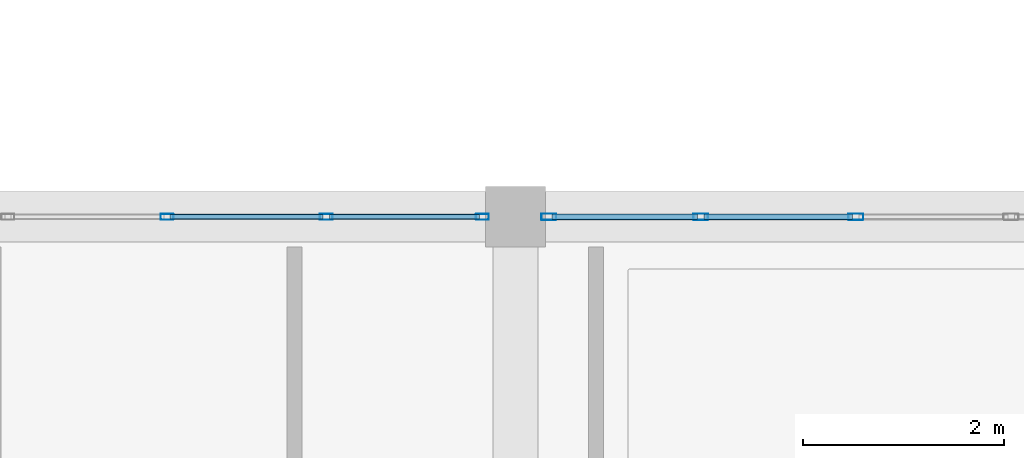
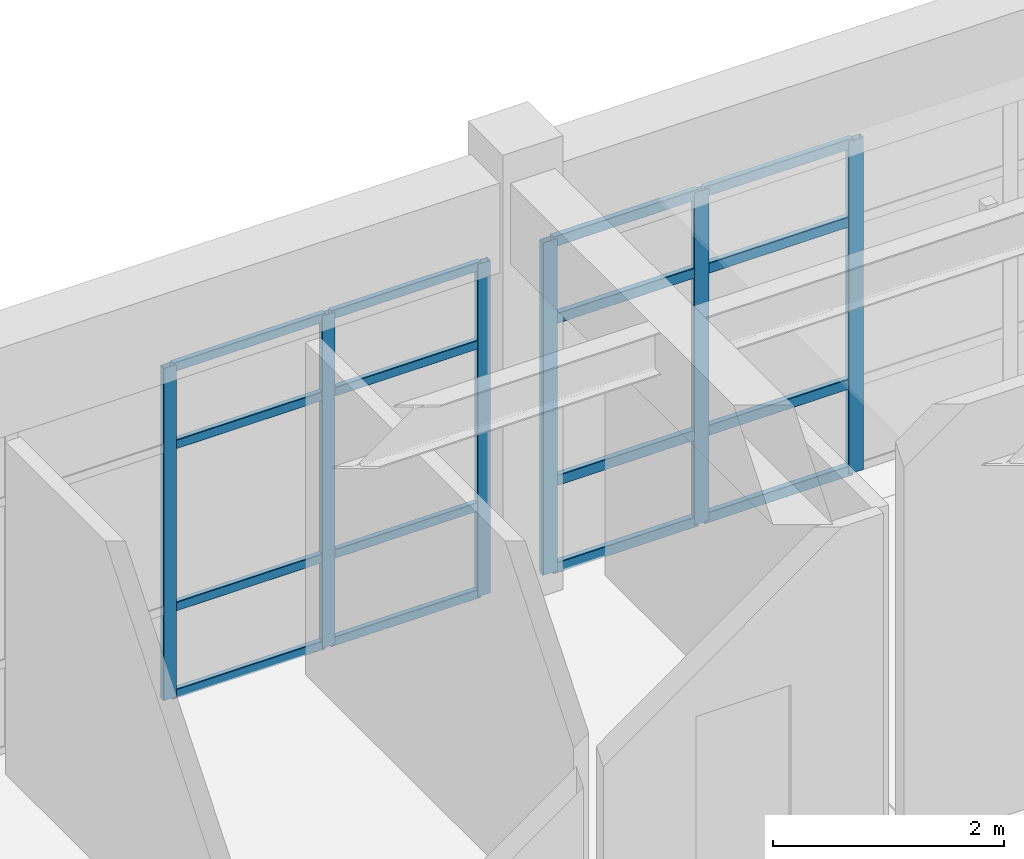
# One storey, part 24 of 139: 22 members, 2 elements without a shape of their own.
"""IFC4 building model written with IfcOpenShell, lengths in metres."""

from ifc_helpers import new_model, si_unit, direction, frame, origin, origin_2d, place, context, subcontext, project, spatial, hollow_rectangle, extrude, material, material_profile, profile_set, type_object, element, aggregate, save


model = new_model("IFC4")

# Units and contexts
model_context = context("Model", 3, precision=1e-05, world=origin(), true_north=direction((0.0, 1.0)))
body_context = subcontext(model_context, "Body", "Model", "MODEL_VIEW")
ifc_project = project(units=[si_unit("LENGTHUNIT", "METRE"), si_unit("AREAUNIT", "SQUARE_METRE"), si_unit("VOLUMEUNIT", "CUBIC_METRE"), si_unit("PLANEANGLEUNIT", "RADIAN"), si_unit("MASSUNIT", "GRAM", prefix="KILO")], contexts=[model_context])

# Site, building, storey
site_placement = place(None, origin())
site = spatial("IfcSite", under=ifc_project, at=site_placement, CompositionType="ELEMENT")
building_placement = place(site_placement, origin())
building = spatial("IfcBuilding", under=site, at=building_placement, Name="Canglan Escarpment Cableway Terminal", CompositionType="ELEMENT")
storey_placement = place(building_placement, frame((0.0, 0.0, 14.39990234375)))
storey = spatial("IfcBuildingStorey", under=building, at=storey_placement, Name="L03", CompositionType="ELEMENT", Elevation=14.39990234375)

# Curtain wall, members
ifc_material_1 = material(Name="Anodized bronze aluminium and Low-E double glazing", Category="aluminium")
curtain_wall_type_1 = type_object("IfcCurtainWallType", Name="CW-BAY-7925x3525", PredefinedType="NOTDEFINED", material=ifc_material_1)
curtain_wall_1_placement = place(storey_placement, origin())
curtain_wall_1 = element("IfcCurtainWall", 1, at=curtain_wall_1_placement, inside=storey, type_object=curtain_wall_type_1, Name="Classical bay-between-piers glazed curtain wall CW-17", PredefinedType="NOTDEFINED")
ifc_material_2 = material(Name="Thermally broken anodized aluminium 6063-T6", Category="aluminium")
ifc_material_profile_1 = material_profile(ifc_material_2, hollow_rectangle(XDim=0.06005859375, YDim=0.1298828125, WallThickness=0.0029296875, InnerFilletRadius=0.0029296875, OuterFilletRadius=0.006103515625, at=origin_2d()), Name="ALU-MULL 60x130x3")
ifc_profile_set_1 = profile_set([ifc_material_profile_1], Name="Thermally broken anodized aluminium 6063-T6")
member_type_1 = type_object("IfcMemberType", Name="CWM-01", PredefinedType="MULLION", material=ifc_profile_set_1)
member_1_placement = place(storey_placement, frame((119.570068359375, 24.800048828125, 0.0), z_axis=(0.0, 0.0, 1.0), x_axis=(0.0, -1.0, 0.0)))
member_1 = element("IfcMember", 2, at=member_1_placement, type_object=member_type_1, Name="CW-17 mullion 1", PredefinedType="MULLION", context=body_context, shape_type="SweptSolid", body=[
    extrude(hollow_rectangle(XDim=0.06005859375, YDim=0.1298828125, WallThickness=0.0029296875, InnerFilletRadius=0.0029296875, OuterFilletRadius=0.006103515625, at=origin_2d()), origin(), (0.0, 0.0, 1.0), 3.51513671875),
])
member_2_placement = place(storey_placement, frame((118.014892578125, 24.800048828125, 0.0), z_axis=(0.0, 0.0, 1.0), x_axis=(0.0, -1.0, 0.0)))
member_2 = element("IfcMember", 3, at=member_2_placement, type_object=member_type_1, Name="CW-17 mullion 2", PredefinedType="MULLION", context=body_context, shape_type="SweptSolid", body=[
    extrude(hollow_rectangle(XDim=0.06005859375, YDim=0.1298828125, WallThickness=0.0029296875, InnerFilletRadius=0.0029296875, OuterFilletRadius=0.006103515625, at=origin_2d()), origin(), (0.0, 0.0, 1.0), 3.51513671875),
])
member_3_placement = place(storey_placement, frame((116.429931640625, 24.800048828125, 0.0), z_axis=(0.0, 0.0, 1.0), x_axis=(0.0, -1.0, 0.0)))
member_3 = element("IfcMember", 4, at=member_3_placement, type_object=member_type_1, Name="CW-17 mullion 3", PredefinedType="MULLION", context=body_context, shape_type="SweptSolid", body=[
    extrude(hollow_rectangle(XDim=0.06005859375, YDim=0.1298828125, WallThickness=0.0029296875, InnerFilletRadius=0.0029296875, OuterFilletRadius=0.006103515625, at=origin_2d()), origin(), (0.0, 0.0, 1.0), 3.51513671875),
])

curtain_wall_type_2 = type_object("IfcCurtainWallType", Name="CW-BAY-7725x3525", PredefinedType="NOTDEFINED", material=ifc_material_1)
curtain_wall_2_placement = place(storey_placement, origin())
curtain_wall_2 = element("IfcCurtainWall", 5, at=curtain_wall_2_placement, inside=storey, type_object=curtain_wall_type_2, Name="Classical bay-between-piers glazed curtain wall CW-18", PredefinedType="NOTDEFINED")
ifc_material_profile_2 = material_profile(ifc_material_2, hollow_rectangle(XDim=0.06494140625, YDim=0.14990234375, WallThickness=0.00341796875, InnerFilletRadius=0.00341796875, OuterFilletRadius=0.007080078125, at=origin_2d()), Name="ALU-MULL 65x150x3.5")
ifc_profile_set_2 = profile_set([ifc_material_profile_2], Name="Thermally broken anodized aluminium 6063-T6")
member_type_2 = type_object("IfcMemberType", Name="CWM-02", PredefinedType="MULLION", material=ifc_profile_set_2)
member_4_placement = place(storey_placement, frame((123.2900390625, 24.800048828125, 0.0), z_axis=(0.0, 0.0, 1.0), x_axis=(0.0, -1.0, 0.0)))
member_4 = element("IfcMember", 6, at=member_4_placement, type_object=member_type_2, Name="CW-18 mullion 4", PredefinedType="MULLION", context=body_context, shape_type="SweptSolid", body=[
    extrude(hollow_rectangle(XDim=0.06494140625, YDim=0.14990234375, WallThickness=0.00341796875, InnerFilletRadius=0.00341796875, OuterFilletRadius=0.007080078125, at=origin_2d()), origin(), (0.0, 0.0, 1.0), 3.51513671875),
])
member_5_placement = place(storey_placement, frame((121.7451171875, 24.800048828125, 0.0), z_axis=(0.0, 0.0, 1.0), x_axis=(0.0, -1.0, 0.0)))
member_5 = element("IfcMember", 7, at=member_5_placement, type_object=member_type_2, Name="CW-18 mullion 5", PredefinedType="MULLION", context=body_context, shape_type="SweptSolid", body=[
    extrude(hollow_rectangle(XDim=0.06494140625, YDim=0.14990234375, WallThickness=0.00341796875, InnerFilletRadius=0.00341796875, OuterFilletRadius=0.007080078125, at=origin_2d()), origin(), (0.0, 0.0, 1.0), 3.51513671875),
])
member_6_placement = place(storey_placement, frame((120.232421875, 24.800048828125, 0.0), z_axis=(0.0, 0.0, 1.0), x_axis=(0.0, -1.0, 0.0)))
member_6 = element("IfcMember", 8, at=member_6_placement, type_object=member_type_2, Name="CW-18 mullion 6", PredefinedType="MULLION", context=body_context, shape_type="SweptSolid", body=[
    extrude(hollow_rectangle(XDim=0.06494140625, YDim=0.14990234375, WallThickness=0.00341796875, InnerFilletRadius=0.00341796875, OuterFilletRadius=0.007080078125, at=origin_2d()), origin(), (0.0, 0.0, 1.0), 3.51513671875),
])

# Member
ifc_material_profile_3 = material_profile(ifc_material_2, hollow_rectangle(XDim=0.054931640625, YDim=0.094970703125, WallThickness=0.0029296875, InnerFilletRadius=0.0029296875, OuterFilletRadius=0.006103515625, at=origin_2d()), Name="ALU-TRAN 55x95x3")
ifc_profile_set_3 = profile_set([ifc_material_profile_3], Name="Thermally broken anodized aluminium 6063-T6")
member_type_3 = type_object("IfcMemberType", Name="CWT-01", PredefinedType="USERDEFINED", material=ifc_profile_set_3)
member_7_placement = place(storey_placement, frame((119.5400390625, 24.800048828125, 0.027587890625), z_axis=(-1.0, 0.0, 0.0), x_axis=(0.0, -1.0, 0.0)))
member_7 = element("IfcMember", 9, at=member_7_placement, type_object=member_type_3, Name="CW-17 transom 1.1", ObjectType="TRANSOM", PredefinedType="USERDEFINED", context=body_context, shape_type="SweptSolid", body=[
    extrude(hollow_rectangle(XDim=0.054931640625, YDim=0.094970703125, WallThickness=0.0029296875, InnerFilletRadius=0.0029296875, OuterFilletRadius=0.006103515625, at=origin_2d()), origin(), (0.0, 0.0, 1.0), 1.4951171875),
])

member_8_placement = place(storey_placement, frame((119.5400390625, 24.800048828125, 0.9501953125), z_axis=(-1.0, 0.0, 0.0), x_axis=(0.0, -1.0, 0.0)))
member_8 = element("IfcMember", 10, at=member_8_placement, type_object=member_type_3, Name="CW-17 transom 1.2", ObjectType="TRANSOM", PredefinedType="USERDEFINED", context=body_context, shape_type="SweptSolid", body=[
    extrude(hollow_rectangle(XDim=0.054931640625, YDim=0.094970703125, WallThickness=0.0029296875, InnerFilletRadius=0.0029296875, OuterFilletRadius=0.006103515625, at=origin_2d()), origin(), (0.0, 0.0, 1.0), 1.4951171875),
])

member_9_placement = place(storey_placement, frame((119.5400390625, 24.800048828125, 2.6650390625), z_axis=(-1.0, 0.0, 0.0), x_axis=(0.0, -1.0, 0.0)))
member_9 = element("IfcMember", 11, at=member_9_placement, type_object=member_type_3, Name="CW-17 transom 1.3", ObjectType="TRANSOM", PredefinedType="USERDEFINED", context=body_context, shape_type="SweptSolid", body=[
    extrude(hollow_rectangle(XDim=0.054931640625, YDim=0.094970703125, WallThickness=0.0029296875, InnerFilletRadius=0.0029296875, OuterFilletRadius=0.006103515625, at=origin_2d()), origin(), (0.0, 0.0, 1.0), 1.4951171875),
])

member_10_placement = place(storey_placement, frame((119.5400390625, 24.800048828125, 3.487548828125), z_axis=(-1.0, 0.0, 0.0), x_axis=(0.0, -1.0, 0.0)))
member_10 = element("IfcMember", 12, at=member_10_placement, type_object=member_type_3, Name="CW-17 transom 1.4", ObjectType="TRANSOM", PredefinedType="USERDEFINED", context=body_context, shape_type="SweptSolid", body=[
    extrude(hollow_rectangle(XDim=0.054931640625, YDim=0.094970703125, WallThickness=0.0029296875, InnerFilletRadius=0.0029296875, OuterFilletRadius=0.006103515625, at=origin_2d()), origin(), (0.0, 0.0, 1.0), 1.4951171875),
])

member_11_placement = place(storey_placement, frame((117.985107421875, 24.800048828125, 0.027587890625), z_axis=(-1.0, 0.0, 0.0), x_axis=(0.0, -1.0, 0.0)))
member_11 = element("IfcMember", 13, at=member_11_placement, type_object=member_type_3, Name="CW-17 transom 2.1", ObjectType="TRANSOM", PredefinedType="USERDEFINED", context=body_context, shape_type="SweptSolid", body=[
    extrude(hollow_rectangle(XDim=0.054931640625, YDim=0.094970703125, WallThickness=0.0029296875, InnerFilletRadius=0.0029296875, OuterFilletRadius=0.006103515625, at=origin_2d()), origin(), (0.0, 0.0, 1.0), 1.525146484375),
])

member_12_placement = place(storey_placement, frame((117.985107421875, 24.800048828125, 0.9501953125), z_axis=(-1.0, 0.0, 0.0), x_axis=(0.0, -1.0, 0.0)))
member_12 = element("IfcMember", 14, at=member_12_placement, type_object=member_type_3, Name="CW-17 transom 2.2", ObjectType="TRANSOM", PredefinedType="USERDEFINED", context=body_context, shape_type="SweptSolid", body=[
    extrude(hollow_rectangle(XDim=0.054931640625, YDim=0.094970703125, WallThickness=0.0029296875, InnerFilletRadius=0.0029296875, OuterFilletRadius=0.006103515625, at=origin_2d()), origin(), (0.0, 0.0, 1.0), 1.525146484375),
])

member_13_placement = place(storey_placement, frame((117.985107421875, 24.800048828125, 2.6650390625), z_axis=(-1.0, 0.0, 0.0), x_axis=(0.0, -1.0, 0.0)))
member_13 = element("IfcMember", 15, at=member_13_placement, type_object=member_type_3, Name="CW-17 transom 2.3", ObjectType="TRANSOM", PredefinedType="USERDEFINED", context=body_context, shape_type="SweptSolid", body=[
    extrude(hollow_rectangle(XDim=0.054931640625, YDim=0.094970703125, WallThickness=0.0029296875, InnerFilletRadius=0.0029296875, OuterFilletRadius=0.006103515625, at=origin_2d()), origin(), (0.0, 0.0, 1.0), 1.525146484375),
])

member_14_placement = place(storey_placement, frame((117.985107421875, 24.800048828125, 3.487548828125), z_axis=(-1.0, 0.0, 0.0), x_axis=(0.0, -1.0, 0.0)))
member_14 = element("IfcMember", 16, at=member_14_placement, type_object=member_type_3, Name="CW-17 transom 2.4", ObjectType="TRANSOM", PredefinedType="USERDEFINED", context=body_context, shape_type="SweptSolid", body=[
    extrude(hollow_rectangle(XDim=0.054931640625, YDim=0.094970703125, WallThickness=0.0029296875, InnerFilletRadius=0.0029296875, OuterFilletRadius=0.006103515625, at=origin_2d()), origin(), (0.0, 0.0, 1.0), 1.525146484375),
])

aggregate(curtain_wall_1, [member_1, member_2, member_3, member_7, member_8, member_9, member_10, member_11, member_12, member_13, member_14])

ifc_material_profile_4 = material_profile(ifc_material_2, hollow_rectangle(XDim=0.06005859375, YDim=0.110107421875, WallThickness=0.0029296875, InnerFilletRadius=0.0029296875, OuterFilletRadius=0.006103515625, at=origin_2d()), Name="ALU-TRAN 60x110x3")
ifc_profile_set_4 = profile_set([ifc_material_profile_4], Name="Thermally broken anodized aluminium 6063-T6")
member_type_4 = type_object("IfcMemberType", Name="CWT-02", PredefinedType="USERDEFINED", material=ifc_profile_set_4)
member_15_placement = place(storey_placement, frame((123.257568359375, 24.800048828125, 0.030029296875), z_axis=(-1.0, 0.0, 0.0), x_axis=(0.0, -1.0, 0.0)))
member_15 = element("IfcMember", 17, at=member_15_placement, type_object=member_type_4, Name="CW-18 transom 4.1", ObjectType="TRANSOM", PredefinedType="USERDEFINED", context=body_context, shape_type="SweptSolid", body=[
    extrude(hollow_rectangle(XDim=0.06005859375, YDim=0.110107421875, WallThickness=0.0029296875, InnerFilletRadius=0.0029296875, OuterFilletRadius=0.006103515625, at=origin_2d()), origin(), (0.0, 0.0, 1.0), 1.47998046875),
])

member_16_placement = place(storey_placement, frame((123.257568359375, 24.800048828125, 0.9501953125), z_axis=(-1.0, 0.0, 0.0), x_axis=(0.0, -1.0, 0.0)))
member_16 = element("IfcMember", 18, at=member_16_placement, type_object=member_type_4, Name="CW-18 transom 4.2", ObjectType="TRANSOM", PredefinedType="USERDEFINED", context=body_context, shape_type="SweptSolid", body=[
    extrude(hollow_rectangle(XDim=0.06005859375, YDim=0.110107421875, WallThickness=0.0029296875, InnerFilletRadius=0.0029296875, OuterFilletRadius=0.006103515625, at=origin_2d()), origin(), (0.0, 0.0, 1.0), 1.47998046875),
])

member_17_placement = place(storey_placement, frame((123.257568359375, 24.800048828125, 2.6650390625), z_axis=(-1.0, 0.0, 0.0), x_axis=(0.0, -1.0, 0.0)))
member_17 = element("IfcMember", 19, at=member_17_placement, type_object=member_type_4, Name="CW-18 transom 4.3", ObjectType="TRANSOM", PredefinedType="USERDEFINED", context=body_context, shape_type="SweptSolid", body=[
    extrude(hollow_rectangle(XDim=0.06005859375, YDim=0.110107421875, WallThickness=0.0029296875, InnerFilletRadius=0.0029296875, OuterFilletRadius=0.006103515625, at=origin_2d()), origin(), (0.0, 0.0, 1.0), 1.47998046875),
])

member_18_placement = place(storey_placement, frame((123.257568359375, 24.800048828125, 3.485107421875), z_axis=(-1.0, 0.0, 0.0), x_axis=(0.0, -1.0, 0.0)))
member_18 = element("IfcMember", 20, at=member_18_placement, type_object=member_type_4, Name="CW-18 transom 4.4", ObjectType="TRANSOM", PredefinedType="USERDEFINED", context=body_context, shape_type="SweptSolid", body=[
    extrude(hollow_rectangle(XDim=0.06005859375, YDim=0.110107421875, WallThickness=0.0029296875, InnerFilletRadius=0.0029296875, OuterFilletRadius=0.006103515625, at=origin_2d()), origin(), (0.0, 0.0, 1.0), 1.47998046875),
])

member_19_placement = place(storey_placement, frame((121.71240234375, 24.800048828125, 0.030029296875), z_axis=(-1.0, 0.0, 0.0), x_axis=(0.0, -1.0, 0.0)))
member_19 = element("IfcMember", 21, at=member_19_placement, type_object=member_type_4, Name="CW-18 transom 5.1", ObjectType="TRANSOM", PredefinedType="USERDEFINED", context=body_context, shape_type="SweptSolid", body=[
    extrude(hollow_rectangle(XDim=0.06005859375, YDim=0.110107421875, WallThickness=0.0029296875, InnerFilletRadius=0.0029296875, OuterFilletRadius=0.006103515625, at=origin_2d()), origin(), (0.0, 0.0, 1.0), 1.447509765625),
])

member_20_placement = place(storey_placement, frame((121.71240234375, 24.800048828125, 0.9501953125), z_axis=(-1.0, 0.0, 0.0), x_axis=(0.0, -1.0, 0.0)))
member_20 = element("IfcMember", 22, at=member_20_placement, type_object=member_type_4, Name="CW-18 transom 5.2", ObjectType="TRANSOM", PredefinedType="USERDEFINED", context=body_context, shape_type="SweptSolid", body=[
    extrude(hollow_rectangle(XDim=0.06005859375, YDim=0.110107421875, WallThickness=0.0029296875, InnerFilletRadius=0.0029296875, OuterFilletRadius=0.006103515625, at=origin_2d()), origin(), (0.0, 0.0, 1.0), 1.447509765625),
])

member_21_placement = place(storey_placement, frame((121.71240234375, 24.800048828125, 2.6650390625), z_axis=(-1.0, 0.0, 0.0), x_axis=(0.0, -1.0, 0.0)))
member_21 = element("IfcMember", 23, at=member_21_placement, type_object=member_type_4, Name="CW-18 transom 5.3", ObjectType="TRANSOM", PredefinedType="USERDEFINED", context=body_context, shape_type="SweptSolid", body=[
    extrude(hollow_rectangle(XDim=0.06005859375, YDim=0.110107421875, WallThickness=0.0029296875, InnerFilletRadius=0.0029296875, OuterFilletRadius=0.006103515625, at=origin_2d()), origin(), (0.0, 0.0, 1.0), 1.447509765625),
])

member_22_placement = place(storey_placement, frame((121.71240234375, 24.800048828125, 3.485107421875), z_axis=(-1.0, 0.0, 0.0), x_axis=(0.0, -1.0, 0.0)))
member_22 = element("IfcMember", 24, at=member_22_placement, type_object=member_type_4, Name="CW-18 transom 5.4", ObjectType="TRANSOM", PredefinedType="USERDEFINED", context=body_context, shape_type="SweptSolid", body=[
    extrude(hollow_rectangle(XDim=0.06005859375, YDim=0.110107421875, WallThickness=0.0029296875, InnerFilletRadius=0.0029296875, OuterFilletRadius=0.006103515625, at=origin_2d()), origin(), (0.0, 0.0, 1.0), 1.447509765625),
])

aggregate(curtain_wall_2, [member_4, member_5, member_6, member_15, member_16, member_17, member_18, member_19, member_20, member_21, member_22])

save(model, "model.ifc")
